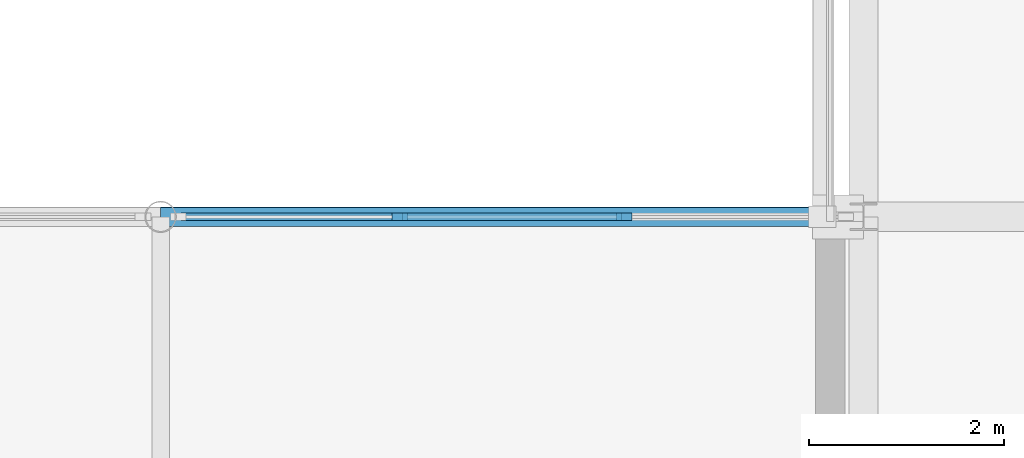
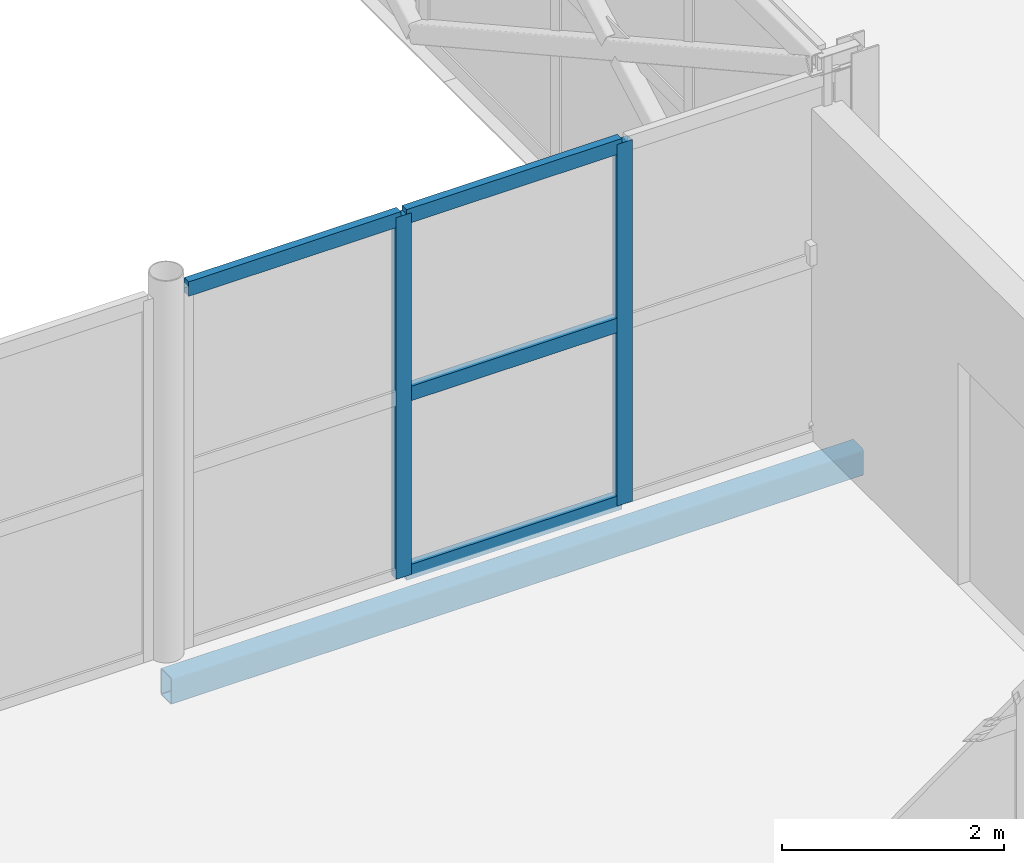
# One storey, part 48 of 146: 6 members, 1 beam, 1 element without a shape of its own.
"""IFC4 building model written with IfcOpenShell, lengths in metres."""

from ifc_helpers import new_model, si_unit, direction, frame, origin, origin_2d, place, context, subcontext, project, spatial, rectangle, hollow_rectangle, extrude, material, material_profile, profile_set, type_object, element, aggregate, save


model = new_model("IFC4")

# Units and contexts
model_context = context("Model", 3, precision=1e-05, world=origin(), true_north=direction((0.0, 1.0)))
body_context = subcontext(model_context, "Body", "Model", "MODEL_VIEW")
ifc_project = project(units=[si_unit("LENGTHUNIT", "METRE"), si_unit("AREAUNIT", "SQUARE_METRE"), si_unit("VOLUMEUNIT", "CUBIC_METRE"), si_unit("PLANEANGLEUNIT", "RADIAN"), si_unit("MASSUNIT", "GRAM", prefix="KILO")], contexts=[model_context])

# Site, building, storey
site_placement = place(None, origin())
site = spatial("IfcSite", under=ifc_project, at=site_placement, CompositionType="ELEMENT")
building_placement = place(site_placement, origin())
building = spatial("IfcBuilding", under=site, at=building_placement, Name="Zlatovets Crest Museum", CompositionType="ELEMENT")
storey_placement = place(building_placement, frame((0.0, 0.0, 4.5)))
storey = spatial("IfcBuildingStorey", under=building, at=storey_placement, Name="L01", CompositionType="ELEMENT", Elevation=4.5)

# Beam
ifc_material_1 = material(Name="Structural steel S355J2", Category="steel")
ifc_material_profile_1 = material_profile(ifc_material_1, hollow_rectangle(XDim=0.199951171875, YDim=0.300048828125, WallThickness=0.012451171875, InnerFilletRadius=0.012451171875, OuterFilletRadius=0.02490234375, at=origin_2d()), Name="RHS 200x300x12.5")
ifc_profile_set_1 = profile_set([ifc_material_profile_1], Name="Structural steel S355J2")
beam_type = type_object("IfcBeamType", Name="Beam_BRG-01", PredefinedType="BEAM", material=ifc_profile_set_1)
beam_placement = place(storey_placement, frame((122.39990234375, 28.800048828125, -0.3701171875), z_axis=(1.0, 0.0, 0.0), x_axis=(0.0, 1.0, 0.0)))
element("IfcBeam", 1, at=beam_placement, inside=storey, type_object=beam_type, Name="Southeast Archive Glazed Link Bridge L01 Stringer Beam", PredefinedType="BEAM", context=body_context, shape_type="SweptSolid", body=[
    extrude(hollow_rectangle(XDim=0.199951171875, YDim=0.300048828125, WallThickness=0.012451171875, InnerFilletRadius=0.012451171875, OuterFilletRadius=0.02490234375, at=origin_2d()), origin(), (0.0, 0.0, 1.0), 7.2001953125),
])

# Curtain wall, members
ifc_material_2 = material(Name="Bronze-anodised aluminium and low-E triple glass", Category="aluminium")
curtain_wall_type = type_object("IfcCurtainWallType", Name="CW_CW-BR4-L01-S69", PredefinedType="NOTDEFINED", material=ifc_material_2)
curtain_wall_placement = place(storey_placement, origin())
curtain_wall = element("IfcCurtainWall", 2, at=curtain_wall_placement, inside=storey, type_object=curtain_wall_type, Name="Southeast Archive Glazed Link Bridge L01 Glazed Bridge Curtain Wall", PredefinedType="NOTDEFINED")
ifc_material_3 = material(Name="Bronze-anodised aluminium EN AW-6060", Category="aluminium")
ifc_material_profile_2 = material_profile(ifc_material_3, rectangle(XDim=0.080078125, YDim=0.159912109375, at=origin_2d()), Name="ALU 80x160")
ifc_profile_set_2 = profile_set([ifc_material_profile_2], Name="Bronze-anodised aluminium EN AW-6060")
member_type_1 = type_object("IfcMemberType", Name="CWMull_M1", PredefinedType="MULLION", material=ifc_profile_set_2)
member_1_placement = place(storey_placement, frame((124.85009765625, 28.800048828125, 0.0), z_axis=(0.0, 0.0, 1.0), x_axis=(0.0, 1.0, 0.0)))
member_1 = element("IfcMember", 3, at=member_1_placement, type_object=member_type_1, Name="CW-BR4-L01-S69 mullion 2", PredefinedType="MULLION", context=body_context, shape_type="SweptSolid", body=[
    extrude(rectangle(XDim=0.080078125, YDim=0.159912109375, at=origin_2d()), origin(), (0.0, 0.0, 1.0), 3.97998046875),
])
member_2_placement = place(storey_placement, frame((127.14990234375, 28.800048828125, 0.0), z_axis=(0.0, 0.0, 1.0), x_axis=(0.0, 1.0, 0.0)))
member_2 = element("IfcMember", 4, at=member_2_placement, type_object=member_type_1, Name="CW-BR4-L01-S69 mullion 3", PredefinedType="MULLION", context=body_context, shape_type="SweptSolid", body=[
    extrude(rectangle(XDim=0.080078125, YDim=0.159912109375, at=origin_2d()), origin(), (0.0, 0.0, 1.0), 3.97998046875),
])
ifc_material_profile_3 = material_profile(ifc_material_3, rectangle(XDim=0.080078125, YDim=0.159912109375, at=origin_2d()), Name="ALU 80x160")
ifc_profile_set_3 = profile_set([ifc_material_profile_3], Name="Bronze-anodised aluminium EN AW-6060")
member_type_2 = type_object("IfcMemberType", Name="CWTrans_T1", PredefinedType="USERDEFINED", material=ifc_profile_set_3)
member_3_placement = place(storey_placement, frame((122.610107421875, 28.800048828125, 3.949951171875), z_axis=(1.0, 0.0, 0.0), x_axis=(0.0, 1.0, 0.0)))
member_3 = element("IfcMember", 5, at=member_3_placement, type_object=member_type_2, Name="CW-BR4-L01-S69 transom 1.3", ObjectType="TRANSOM", PredefinedType="USERDEFINED", context=body_context, shape_type="SweptSolid", body=[
    extrude(rectangle(XDim=0.080078125, YDim=0.159912109375, at=origin_2d()), origin(), (0.0, 0.0, 1.0), 2.2099609375),
])
member_4_placement = place(storey_placement, frame((124.8798828125, 28.800048828125, 0.030029296875), z_axis=(1.0, 0.0, 0.0), x_axis=(0.0, 1.0, 0.0)))
member_4 = element("IfcMember", 6, at=member_4_placement, type_object=member_type_2, Name="CW-BR4-L01-S69 transom 2.1", ObjectType="TRANSOM", PredefinedType="USERDEFINED", context=body_context, shape_type="SweptSolid", body=[
    extrude(rectangle(XDim=0.080078125, YDim=0.159912109375, at=origin_2d()), origin(), (0.0, 0.0, 1.0), 2.240234375),
])
member_5_placement = place(storey_placement, frame((124.8798828125, 28.800048828125, 1.989990234375), z_axis=(1.0, 0.0, 0.0), x_axis=(0.0, 1.0, 0.0)))
member_5 = element("IfcMember", 7, at=member_5_placement, type_object=member_type_2, Name="CW-BR4-L01-S69 transom 2.2", ObjectType="TRANSOM", PredefinedType="USERDEFINED", context=body_context, shape_type="SweptSolid", body=[
    extrude(rectangle(XDim=0.080078125, YDim=0.159912109375, at=origin_2d()), origin(), (0.0, 0.0, 1.0), 2.240234375),
])
member_6_placement = place(storey_placement, frame((124.8798828125, 28.800048828125, 3.949951171875), z_axis=(1.0, 0.0, 0.0), x_axis=(0.0, 1.0, 0.0)))
member_6 = element("IfcMember", 8, at=member_6_placement, type_object=member_type_2, Name="CW-BR4-L01-S69 transom 2.3", ObjectType="TRANSOM", PredefinedType="USERDEFINED", context=body_context, shape_type="SweptSolid", body=[
    extrude(rectangle(XDim=0.080078125, YDim=0.159912109375, at=origin_2d()), origin(), (0.0, 0.0, 1.0), 2.240234375),
])
aggregate(curtain_wall, [member_1, member_2, member_3, member_4, member_5, member_6])

save(model, "model.ifc")
